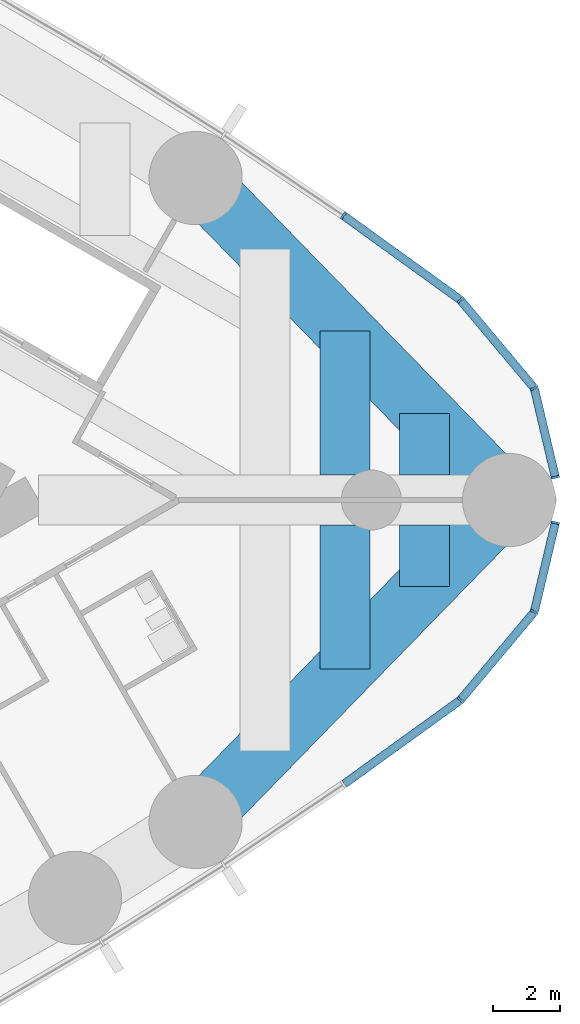
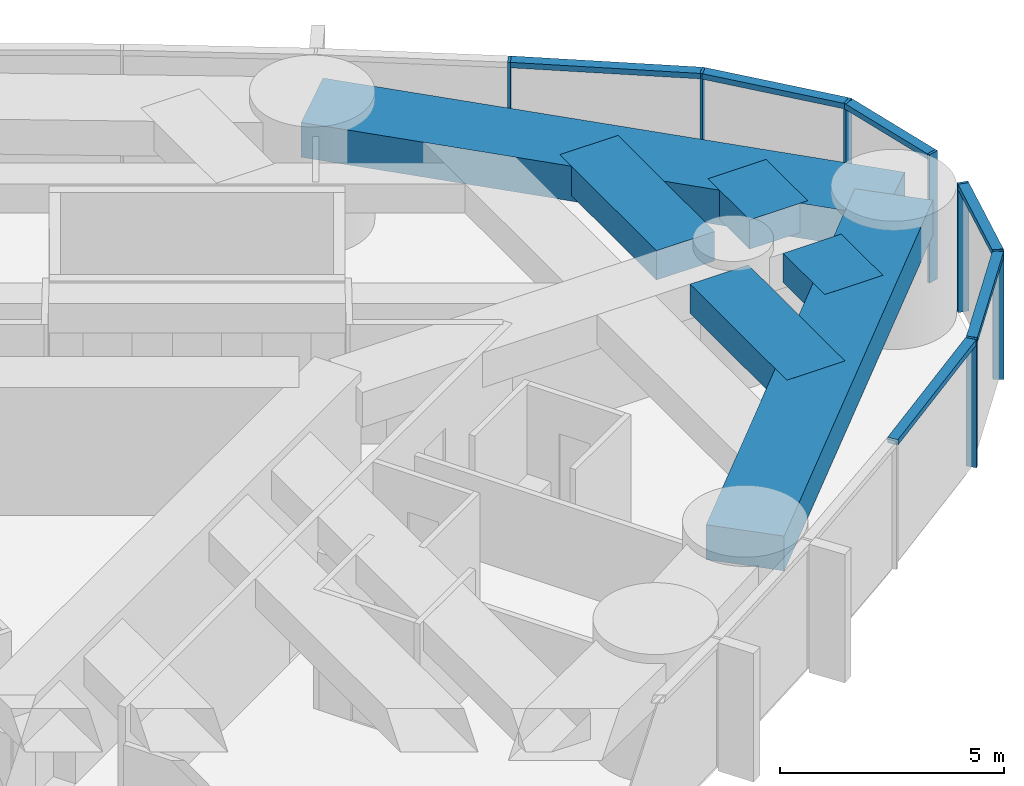
# One storey, part 9 of 18: 13 members, 6 beams, 2 elements without a shape of their own.
"""IFC4 building model written with IfcOpenShell, lengths in metres."""

from ifc_helpers import new_model, si_unit, direction, frame, origin, origin_2d, place, context, subcontext, project, spatial, rectangle, extrude, material, material_profile, profile_set, type_object, element, aggregate, save


model = new_model("IFC4")

# Units and contexts
model_context = context("Model", 3, precision=1e-05, world=origin(), true_north=direction((0.0, 1.0)))
body_context = subcontext(model_context, "Body", "Model", "MODEL_VIEW")
ifc_project = project(units=[si_unit("LENGTHUNIT", "METRE"), si_unit("AREAUNIT", "SQUARE_METRE"), si_unit("VOLUMEUNIT", "CUBIC_METRE"), si_unit("PLANEANGLEUNIT", "RADIAN"), si_unit("MASSUNIT", "GRAM", prefix="KILO")], contexts=[model_context])

# Site, building, storey
site_placement = place(None, origin())
site = spatial("IfcSite", under=ifc_project, at=site_placement, CompositionType="ELEMENT")
building_placement = place(site_placement, origin())
building = spatial("IfcBuilding", under=site, at=building_placement, Name="Lancet Gate Hotel", CompositionType="ELEMENT")
storey_placement = place(building_placement, frame((0.0, 0.0, 166.800048828125)))
storey = spatial("IfcBuildingStorey", under=building, at=storey_placement, Name="L44", CompositionType="ELEMENT", Elevation=166.800048828125)

# Curtain wall, members
ifc_material_1 = material(Name="Aluminium curtain wall", Category="aluminium")
curtain_wall_type = type_object("IfcCurtainWallType", Name="Tower unitised curtain wall", PredefinedType="USERDEFINED", material=ifc_material_1)
curtain_wall_1_placement = place(storey_placement, origin())
curtain_wall_1 = element("IfcCurtainWall", 1, at=curtain_wall_1_placement, inside=storey, type_object=curtain_wall_type, Name="T2 L44 curtain wall 2", ObjectType="UNITISED CURTAIN WALL", PredefinedType="USERDEFINED")
ifc_material_2 = material(Name="Aluminium mullion", Category="aluminium")
ifc_material_profile_1 = material_profile(ifc_material_2, rectangle(XDim=0.06494140625, YDim=0.25, at=origin_2d()), Name="MULLION 65x250")
ifc_profile_set_1 = profile_set([ifc_material_profile_1], Name="Aluminium mullion")
member_type_1 = type_object("IfcMemberType", Name="Aluminium mullion 65x250", PredefinedType="MULLION", material=ifc_profile_set_1)
member_1_placement = place(storey_placement, frame((64.174560546875, -6.01123046875, 0.0), z_axis=(0.0, 0.0, 1.0), x_axis=(0.741693452951, 0.670739011725, 0.0)))
member_1 = element("IfcMember", 2, at=member_1_placement, type_object=member_type_1, Name="T2 L44 curtain wall 2 mullion 10", PredefinedType="MULLION", context=body_context, shape_type="SweptSolid", body=[
    extrude(rectangle(XDim=0.06494140625, YDim=0.25, at=origin_2d()), origin(), (0.0, 0.0, 1.0), 3.5),
])
member_2_placement = place(storey_placement, frame((66.3935546875, -3.362548828125, 0.0), z_axis=(0.0, 0.0, 1.0), x_axis=(0.472146326362, 0.881520190638, 0.0)))
member_2 = element("IfcMember", 3, at=member_2_placement, type_object=member_type_1, Name="T2 L44 curtain wall 2 mullion 11", PredefinedType="MULLION", context=body_context, shape_type="SweptSolid", body=[
    extrude(rectangle(XDim=0.06494140625, YDim=0.25, at=origin_2d()), origin(), (0.0, 0.0, 1.0), 3.5),
])
member_3_placement = place(storey_placement, frame((67.027587890625, -0.684326171875, 0.0), z_axis=(0.0, 0.0, 1.0), x_axis=(0.230366568544, 0.973103922558, 0.0)))
member_3 = element("IfcMember", 4, at=member_3_placement, type_object=member_type_1, Name="T2 L44 curtain wall 2 mullion 12", PredefinedType="MULLION", context=body_context, shape_type="SweptSolid", body=[
    extrude(rectangle(XDim=0.06494140625, YDim=0.25, at=origin_2d()), origin(), (0.0, 0.0, 1.0), 3.5),
])

curtain_wall_2_placement = place(storey_placement, origin())
curtain_wall_2 = element("IfcCurtainWall", 5, at=curtain_wall_2_placement, inside=storey, type_object=curtain_wall_type, Name="T2 L44 curtain wall 3", ObjectType="UNITISED CURTAIN WALL", PredefinedType="USERDEFINED")
member_4_placement = place(storey_placement, frame((67.027587890625, 0.684326171875, 0.0), z_axis=(0.0, 0.0, 1.0), x_axis=(-0.230366568544, 0.973103922558, 0.0)))
member_4 = element("IfcMember", 6, at=member_4_placement, type_object=member_type_1, Name="T2 L44 curtain wall 3 mullion 1", PredefinedType="MULLION", context=body_context, shape_type="SweptSolid", body=[
    extrude(rectangle(XDim=0.06494140625, YDim=0.25, at=origin_2d()), origin(), (0.0, 0.0, 1.0), 3.5),
])
member_5_placement = place(storey_placement, frame((66.3935546875, 3.362548828125, 0.0), z_axis=(0.0, 0.0, 1.0), x_axis=(-0.472146326362, 0.881520190638, 0.0)))
member_5 = element("IfcMember", 7, at=member_5_placement, type_object=member_type_1, Name="T2 L44 curtain wall 3 mullion 2", PredefinedType="MULLION", context=body_context, shape_type="SweptSolid", body=[
    extrude(rectangle(XDim=0.06494140625, YDim=0.25, at=origin_2d()), origin(), (0.0, 0.0, 1.0), 3.5),
])
member_6_placement = place(storey_placement, frame((64.174560546875, 6.01123046875, 0.0), z_axis=(0.0, 0.0, 1.0), x_axis=(-0.741693452951, 0.670739011725, 0.0)))
member_6 = element("IfcMember", 8, at=member_6_placement, type_object=member_type_1, Name="T2 L44 curtain wall 3 mullion 3", PredefinedType="MULLION", context=body_context, shape_type="SweptSolid", body=[
    extrude(rectangle(XDim=0.06494140625, YDim=0.25, at=origin_2d()), origin(), (0.0, 0.0, 1.0), 3.5),
])
member_7_placement = place(storey_placement, frame((60.66015625, 8.547607421875, 0.0), z_axis=(0.0, 0.0, 1.0), x_axis=(-0.820068208435, 0.572265789222, 0.0)))
member_7 = element("IfcMember", 9, at=member_7_placement, type_object=member_type_1, Name="T2 L44 curtain wall 3 mullion 4", PredefinedType="MULLION", context=body_context, shape_type="SweptSolid", body=[
    extrude(rectangle(XDim=0.06494140625, YDim=0.25, at=origin_2d()), origin(), (0.0, 0.0, 1.0), 3.5),
])

# Member
ifc_material_3 = material(Name="Aluminium transom", Category="aluminium")
ifc_material_profile_2 = material_profile(ifc_material_3, rectangle(XDim=0.25, YDim=0.14990234375, at=origin_2d()), Name="TRANSOM 250x150")
ifc_profile_set_2 = profile_set([ifc_material_profile_2], Name="Aluminium transom")
member_type_2 = type_object("IfcMemberType", Name="Aluminium transom 250x150", PredefinedType="USERDEFINED", material=ifc_profile_set_2)
member_8_placement = place(storey_placement, frame((60.6865234375, -8.528564453125, 3.425048828125), z_axis=(0.810879747578, 0.585212811691, 0.0), x_axis=(-0.585212811691, 0.810879747578, 0.0)))
member_8 = element("IfcMember", 10, at=member_8_placement, type_object=member_type_2, Name="T2 L44 curtain wall 2 transom 9", ObjectType="TRANSOM", PredefinedType="USERDEFINED", context=body_context, shape_type="SweptSolid", body=[
    extrude(rectangle(XDim=0.25, YDim=0.14990234375, at=origin_2d()), origin(), (0.0, 0.0, 1.0), 4.26904296875),
])

member_9_placement = place(storey_placement, frame((64.1953125, -5.986328125, 3.425048828125), z_axis=(0.642229010215, 0.766512816878, 0.0), x_axis=(-0.766512816878, 0.642229010215, 0.0)))
member_9 = element("IfcMember", 11, at=member_9_placement, type_object=member_type_2, Name="T2 L44 curtain wall 2 transom 10", ObjectType="TRANSOM", PredefinedType="USERDEFINED", context=body_context, shape_type="SweptSolid", body=[
    extrude(rectangle(XDim=0.25, YDim=0.14990234375, at=origin_2d()), origin(), (0.0, 0.0, 1.0), 3.390625),
])

member_10_placement = place(storey_placement, frame((66.401123046875, -3.3310546875, 3.425048828125), z_axis=(0.230310174804, 0.973117271135, 0.0), x_axis=(-0.973117271135, 0.230310174804, 0.0)))
member_10 = element("IfcMember", 12, at=member_10_placement, type_object=member_type_2, Name="T2 L44 curtain wall 2 transom 11", ObjectType="TRANSOM", PredefinedType="USERDEFINED", context=body_context, shape_type="SweptSolid", body=[
    extrude(rectangle(XDim=0.25, YDim=0.14990234375, at=origin_2d()), origin(), (0.0, 0.0, 1.0), 2.687255859375),
])

aggregate(curtain_wall_1, [member_1, member_2, member_3, member_8, member_9, member_10])

member_11_placement = place(storey_placement, frame((67.02001953125, 0.716064453125, 3.425048828125), z_axis=(-0.230310174804, 0.973117271135, 0.0), x_axis=(-0.973117271135, -0.230310174804, 0.0)))
member_11 = element("IfcMember", 13, at=member_11_placement, type_object=member_type_2, Name="T2 L44 curtain wall 3 transom 1", ObjectType="TRANSOM", PredefinedType="USERDEFINED", context=body_context, shape_type="SweptSolid", body=[
    extrude(rectangle(XDim=0.25, YDim=0.14990234375, at=origin_2d()), origin(), (0.0, 0.0, 1.0), 2.687255859375),
])

member_12_placement = place(storey_placement, frame((66.372802734375, 3.387451171875, 3.425048828125), z_axis=(-0.642229010215, 0.766512816878, 0.0), x_axis=(-0.766512816878, -0.642229010215, 0.0)))
member_12 = element("IfcMember", 14, at=member_12_placement, type_object=member_type_2, Name="T2 L44 curtain wall 3 transom 2", ObjectType="TRANSOM", PredefinedType="USERDEFINED", context=body_context, shape_type="SweptSolid", body=[
    extrude(rectangle(XDim=0.25, YDim=0.14990234375, at=origin_2d()), origin(), (0.0, 0.0, 1.0), 3.390625),
])

member_13_placement = place(storey_placement, frame((64.148193359375, 6.0302734375, 3.425048828125), z_axis=(-0.810879747578, 0.585212811691, 0.0), x_axis=(-0.585212811691, -0.810879747578, 0.0)))
member_13 = element("IfcMember", 15, at=member_13_placement, type_object=member_type_2, Name="T2 L44 curtain wall 3 transom 3", ObjectType="TRANSOM", PredefinedType="USERDEFINED", context=body_context, shape_type="SweptSolid", body=[
    extrude(rectangle(XDim=0.25, YDim=0.14990234375, at=origin_2d()), origin(), (0.0, 0.0, 1.0), 4.26904296875),
])

aggregate(curtain_wall_2, [member_4, member_5, member_6, member_7, member_11, member_12, member_13])

# Beams
ifc_material_4 = material(Name="Concrete C50/60", Category="concrete")
ifc_material_profile_3 = material_profile(ifc_material_4, rectangle(XDim=1.800048828125, YDim=0.949951171875, at=origin_2d()), Name="RC 1800x950")
ifc_profile_set_3 = profile_set([ifc_material_profile_3], Name="Concrete C50/60")
beam_type_1 = type_object("IfcBeamType", Name="Edge beam RC 1800x950", PredefinedType="SPANDREL", material=ifc_profile_set_3)
for number, where, z_axis, x_axis, name in (
    (16, (56.220947265625, -9.67236328125, 2.77490234375), (0.697649905443, 0.716438838587, 0.0), (-0.716438838587, 0.697649905443, 0.0), "T2 edge beam EB1 L44"),
    (17, (65.6396484375, 0.0, 2.77490234375), (-0.697649905443, 0.716438838587, 0.0), (-0.716438838587, -0.697649905443, 0.0), "T2 edge beam EB1 L44"),
):
    element("IfcBeam", number, at=place(storey_placement, frame(where, z_axis=z_axis, x_axis=x_axis)), inside=storey, type_object=beam_type_1, Name=name, PredefinedType="SPANDREL", context=body_context, shape_type="SweptSolid", body=[
        extrude(rectangle(XDim=1.800048828125, YDim=0.949951171875, at=origin_2d()), origin(), (0.0, 0.0, 1.0), 13.500732421875),
    ])
ifc_material_5 = material(Name="Concrete C50/60", Category="concrete")
ifc_material_profile_4 = material_profile(ifc_material_5, rectangle(XDim=1.5, YDim=0.800048828125, at=origin_2d()), Name="RC 1500x800")
ifc_profile_set_4 = profile_set([ifc_material_profile_4], Name="Concrete C50/60")
beam_type_2 = type_object("IfcBeamType", Name="Floor beam RC 1500x800", PredefinedType="BEAM", material=ifc_profile_set_4)
for number, where, z_axis, x_axis, name in (
    (18, (60.7021484375, -5.0703125, 2.849853515625), (0.0, 1.0, 0.0), (-1.0, 0.0, 0.0), "T2 floor beam F14S L44"),
    (19, (60.7021484375, 0.75, 2.849853515625), (0.0, 1.0, 0.0), (-1.0, 0.0, 0.0), "T2 floor beam F15N L44"),
):
    element("IfcBeam", number, at=place(storey_placement, frame(where, z_axis=z_axis, x_axis=x_axis)), inside=storey, type_object=beam_type_2, Name=name, PredefinedType="BEAM", context=body_context, shape_type="SweptSolid", body=[
        extrude(rectangle(XDim=1.5, YDim=0.800048828125, at=origin_2d()), origin(), (0.0, 0.0, 1.0), 4.3203125),
    ])
for number, where, z_axis, x_axis, name in (
    (20, (63.102294921875, -2.605712890625, 2.849853515625), (0.0, 1.0, 0.0), (-1.0, 0.0, 0.0), "T2 floor beam F16S L44"),
    (21, (63.102294921875, 0.75, 2.849853515625), (0.0, 1.0, 0.0), (-1.0, 0.0, 0.0), "T2 floor beam F17N L44"),
):
    element("IfcBeam", number, at=place(storey_placement, frame(where, z_axis=z_axis, x_axis=x_axis)), inside=storey, type_object=beam_type_2, Name=name, PredefinedType="BEAM", context=body_context, shape_type="SweptSolid", body=[
        extrude(rectangle(XDim=1.5, YDim=0.800048828125, at=origin_2d()), origin(), (0.0, 0.0, 1.0), 1.855712890625),
    ])

save(model, "model.ifc")
